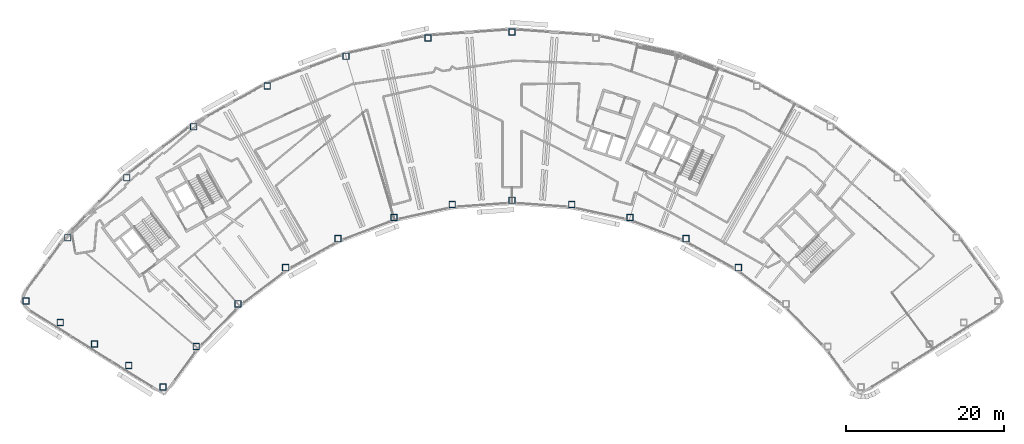
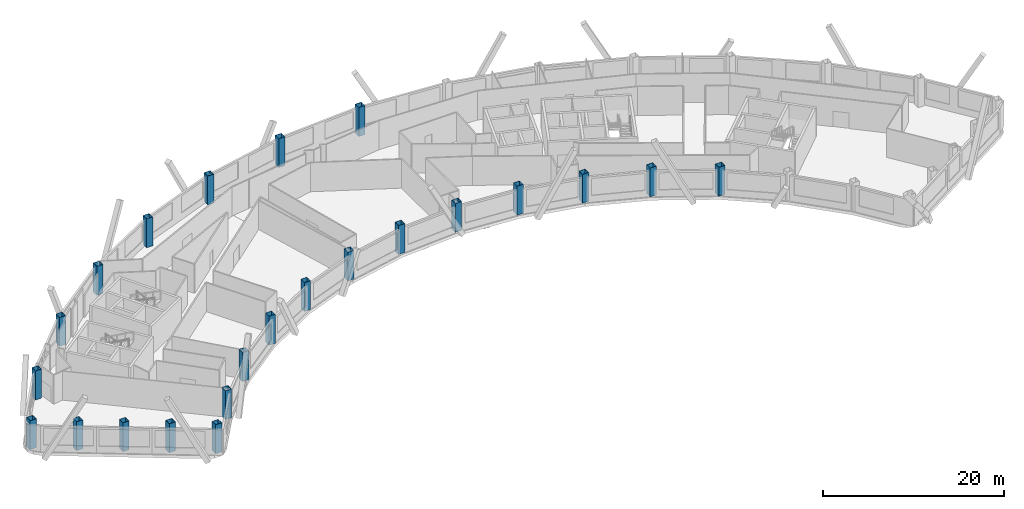
# One storey, part 1 of 13: 23 columns.
"""IFC4 building model written with IfcOpenShell, lengths in metres."""

from ifc_helpers import new_model, si_unit, direction, frame, origin, origin_2d, place, context, subcontext, project, spatial, hollow_rectangle, extrude, material, material_profile, profile_set, type_object, element, save


model = new_model("IFC4")

# Units and contexts
model_context = context("Model", 3, precision=1e-05, world=origin(), true_north=direction((0.0, 1.0)))
body_context = subcontext(model_context, "Body", "Model", "MODEL_VIEW")
ifc_project = project(units=[si_unit("LENGTHUNIT", "METRE"), si_unit("AREAUNIT", "SQUARE_METRE"), si_unit("VOLUMEUNIT", "CUBIC_METRE"), si_unit("PLANEANGLEUNIT", "RADIAN"), si_unit("MASSUNIT", "GRAM", prefix="KILO")], contexts=[model_context])

# Site, building, storey
site_placement = place(None, origin())
site = spatial("IfcSite", under=ifc_project, at=site_placement, CompositionType="ELEMENT")
building_placement = place(site_placement, origin())
building = spatial("IfcBuilding", under=site, at=building_placement, Name="Tuul Gate Civic Tower", CompositionType="ELEMENT")
storey_placement = place(building_placement, frame((0.0, 0.0, 248.39990234375)))
storey = spatial("IfcBuildingStorey", under=building, at=storey_placement, Name="Level 56", CompositionType="ELEMENT", Elevation=248.39990234375)

# Columns
ifc_material = material(Name="Steel S355", Category="steel")
ifc_material_profile = material_profile(ifc_material, hollow_rectangle(XDim=0.800048828125, YDim=0.800048828125, WallThickness=0.031982421875, at=origin_2d()), Name="BOX800x800x32")
ifc_profile_set = profile_set([ifc_material_profile], Name="Steel S355")
column_type = type_object("IfcColumnType", Name="STR-COLUMN-BOX800x800x32", PredefinedType="COLUMN", material=ifc_profile_set)
for number, where, z_axis, x_axis, name in (
    (1, (11.031005859375, 13.47412109375, 0.0), (0.0, 0.0, 1.0), (1.0, 0.0, 0.0), "Column"),
    (2, (0.381103515625, 12.702880859375, 0.0), (0.0, 0.0, 1.0), (1.0, 0.0, 0.0), "Column"),
    (3, (-10.0458984375, 10.405029296875, 0.0), (0.0, 0.0, 1.0), (1.0, 0.0, 0.0), "Column"),
    (4, (-20.032958984375, 6.6279296875, 0.0), (0.0, 0.0, 1.0), (1.0, 0.0, 0.0), "Column"),
    (5, (-29.37109375, 1.451904296875, 0.0), (0.0, 0.0, 1.0), (1.0, 0.0, 0.0), "Column"),
    (6, (-37.866943359375, -5.01708984375, 0.0), (0.0, 0.0, 1.0), (1.0, 0.0, 0.0), "Column"),
    (7, (-45.341064453125, -12.64208984375, 0.0), (0.0, 0.0, 1.0), (1.0, 0.0, 0.0), "Column"),
    (8, (-50.639892578125, -20.654052734375, 0.0), (0.0, 0.0, 1.0), (1.0, 0.0, 0.0), "Column"),
    (9, (-46.298095703125, -23.388916015625, 0.0), (0.0, 0.0, 1.0), (1.0, 0.0, 0.0), "Column"),
    (10, (-41.955078125, -26.123046875, 0.0), (0.0, 0.0, 1.0), (1.0, 0.0, 0.0), "Column"),
    (11, (-37.613037109375, -28.85791015625, 0.0), (0.0, 0.0, 1.0), (1.0, 0.0, 0.0), "Column"),
    (12, (-33.27001953125, -31.592041015625, 0.0), (0.0, 0.0, 1.0), (1.0, 0.0, 0.0), "Column"),
    (13, (-29.050048828125, -26.449951171875, 0.0), (0.0, 0.0, 1.0), (1.0, 0.0, 0.0), "Column"),
    (14, (-23.736083984375, -21.029052734375, 0.0), (0.0, 0.0, 1.0), (1.0, 0.0, 0.0), "Column"),
    (15, (-17.696044921875, -16.429931640625, 0.0), (0.0, 0.0, 1.0), (1.0, 0.0, 0.0), "Column"),
    (16, (-11.055908203125, -12.7490234375, 0.0), (0.0, 0.0, 1.0), (1.0, 0.0, 0.0), "Column"),
    (17, (-3.955078125, -10.06396484375, 0.0), (0.0, 0.0, 1.0), (1.0, 0.0, 0.0), "Column"),
    (18, (3.458984375, -8.429931640625, 0.0), (0.0, 0.0, 1.0), (1.0, 0.0, 0.0), "Column"),
    (19, (11.031005859375, -7.882080078125, 0.0), (0.0, 0.0, 1.0), (1.0, 0.0, 0.0), "Column"),
    (20, (18.60302734375, -8.429931640625, 0.0), (0.0, 0.0, 1.0), (1.0, 0.0, 0.0), "Column"),
    (21, (26.01708984375, -10.06396484375, 0.0), (0.0, 0.0, 1.0), (1.0, 0.0, 0.0), "Column"),
    (22, (33.117919921875, -12.7490234375, 0.0), (0.0, 0.0, 1.0), (1.0, 0.0, 0.0), "Column"),
    (23, (39.757080078125, -16.429931640625, 0.0), (0.0, 0.0, 1.0), (1.0, 0.0, 0.0), "Column"),
):
    element("IfcColumn", number, at=place(storey_placement, frame(where, z_axis=z_axis, x_axis=x_axis)), inside=storey, type_object=column_type, Name=name, PredefinedType="COLUMN", context=body_context, shape_type="SweptSolid", body=[
        extrude(hollow_rectangle(XDim=0.800048828125, YDim=0.800048828125, WallThickness=0.031982421875, at=origin_2d()), origin(), (0.0, 0.0, 1.0), 3.900146484375),
    ])

save(model, "model.ifc")
